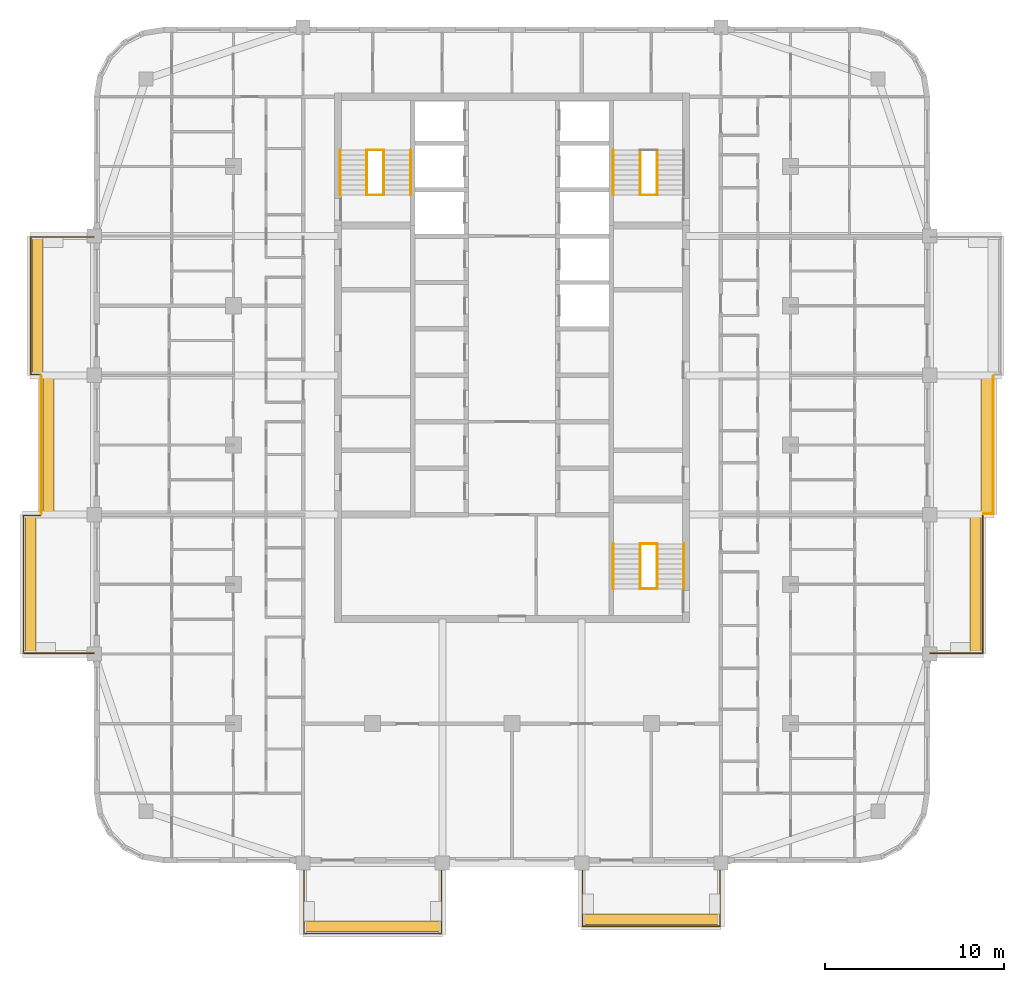
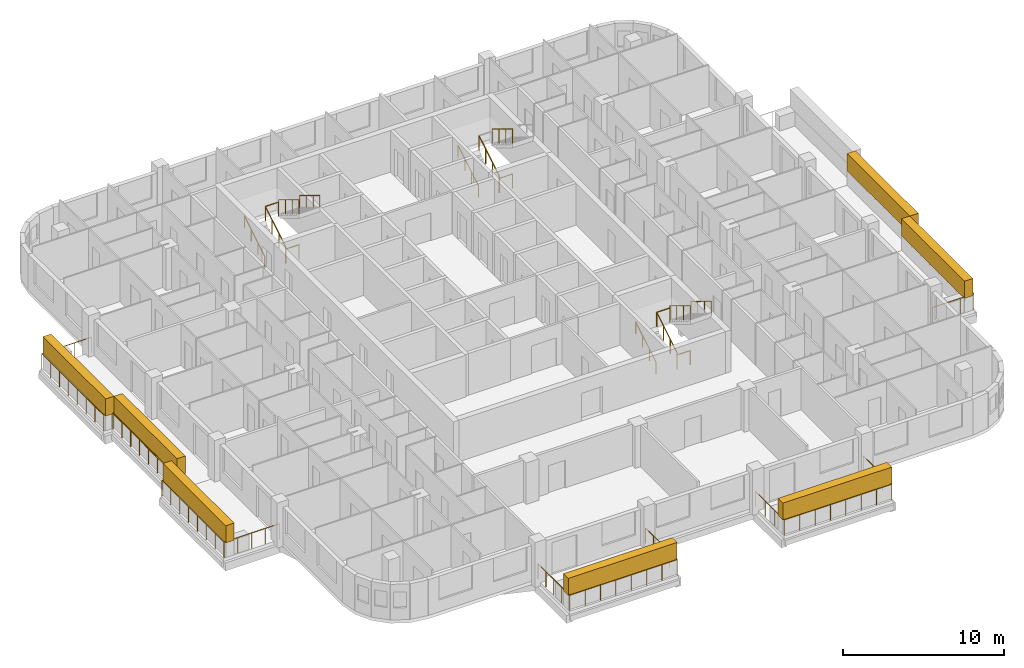
# One storey, part 15 of 16: 23 railings, 7 coverings, 3 elements without a shape of their own.
"""IFC4 building model written with IfcOpenShell, lengths in metres."""

from ifc_helpers import new_model, si_unit, direction, frame, origin, origin_2d, place, context, subcontext, project, spatial, rectangle, circle, extrude, material, layer, layer_set, type_object, element, aggregate, save


model = new_model("IFC4")

# Units and contexts
model_context = context("Model", 3, precision=1e-05, world=origin(), true_north=direction((0.0, 1.0)))
body_context = subcontext(model_context, "Body", "Model", "MODEL_VIEW")
ifc_project = project(units=[si_unit("LENGTHUNIT", "METRE"), si_unit("AREAUNIT", "SQUARE_METRE"), si_unit("VOLUMEUNIT", "CUBIC_METRE"), si_unit("PLANEANGLEUNIT", "RADIAN"), si_unit("MASSUNIT", "GRAM", prefix="KILO")], contexts=[model_context])

# Site, building, storey
site_placement = place(None, origin())
site = spatial("IfcSite", under=ifc_project, at=site_placement, CompositionType="ELEMENT")
building_placement = place(site_placement, origin())
building = spatial("IfcBuilding", under=site, at=building_placement, Name="Ludao Terraces", CompositionType="ELEMENT")
storey_placement = place(building_placement, frame((0.0, 0.0, 227.89990234375)))
storey = spatial("IfcBuildingStorey", under=building, at=storey_placement, Name="L62", CompositionType="ELEMENT", Elevation=227.89990234375)

# Railings
ifc_material_1 = material(Name="Stainless steel 304", Category="steel")
railing_type_1 = type_object("IfcRailingType", Name="ENV Balcony glass guard 1200", PredefinedType="GUARDRAIL", material=ifc_material_1)
railing_1_placement = place(storey_placement, frame((73.35009765625, 41.60009765625, 0.0)))
element("IfcRailing", 1, at=railing_1_placement, inside=storey, type_object=railing_type_1, Name="Balcony guard L62 S1", PredefinedType="GUARDRAIL", context=body_context, shape_type="SweptSolid", body=[
    extrude(circle(Radius=0.02392578125, at=origin_2d()), frame((0.0, 0.0, 1.17578125), z_axis=(0.0, -1.0, 0.0), x_axis=(1.0, 0.0, 0.0)), (0.0, 0.0, 1.0), 3.9501953125),
    extrude(circle(Radius=0.02392578125, at=origin_2d()), frame((0.0, -3.9501953125, 1.17578125), z_axis=(1.0, 0.0, 0.0), x_axis=(0.0, 1.0, 0.0)), (0.0, 0.0, 1.0), 7.699951171875),
    extrude(circle(Radius=0.02392578125, at=origin_2d()), frame((7.699951171875, -3.9501953125, 1.17578125), z_axis=(0.0, 1.0, 0.0), x_axis=(-1.0, 0.0, 0.0)), (0.0, 0.0, 1.0), 3.9501953125),
    extrude(circle(Radius=0.02099609375, at=origin_2d()), origin(), (0.0, 0.0, 1.0), 1.15185546875),
    extrude(circle(Radius=0.02099609375, at=origin_2d()), frame((0.0, -0.987548828125, 0.0)), (0.0, 0.0, 1.0), 1.15185546875),
    extrude(circle(Radius=0.02099609375, at=origin_2d()), frame((0.0, -1.97509765625, 0.0)), (0.0, 0.0, 1.0), 1.15185546875),
    extrude(circle(Radius=0.02099609375, at=origin_2d()), frame((0.0, -2.962646484375, 0.0)), (0.0, 0.0, 1.0), 1.15185546875),
    extrude(circle(Radius=0.02099609375, at=origin_2d()), frame((0.0, -3.9501953125, 0.0)), (0.0, 0.0, 1.0), 1.15185546875),
    extrude(circle(Radius=0.02099609375, at=origin_2d()), frame((1.10009765625, -3.9501953125, 0.0)), (0.0, 0.0, 1.0), 1.15185546875),
    extrude(circle(Radius=0.02099609375, at=origin_2d()), frame((2.199951171875, -3.9501953125, 0.0)), (0.0, 0.0, 1.0), 1.15185546875),
    extrude(circle(Radius=0.02099609375, at=origin_2d()), frame((3.300048828125, -3.9501953125, 0.0)), (0.0, 0.0, 1.0), 1.15185546875),
    extrude(circle(Radius=0.02099609375, at=origin_2d()), frame((4.39990234375, -3.9501953125, 0.0)), (0.0, 0.0, 1.0), 1.15185546875),
    extrude(circle(Radius=0.02099609375, at=origin_2d()), frame((5.5, -3.9501953125, 0.0)), (0.0, 0.0, 1.0), 1.15185546875),
    extrude(circle(Radius=0.02099609375, at=origin_2d()), frame((6.599853515625, -3.9501953125, 0.0)), (0.0, 0.0, 1.0), 1.15185546875),
    extrude(circle(Radius=0.02099609375, at=origin_2d()), frame((7.699951171875, -3.9501953125, 0.0)), (0.0, 0.0, 1.0), 1.15185546875),
    extrude(circle(Radius=0.02099609375, at=origin_2d()), frame((7.699951171875, -2.962646484375, 0.0)), (0.0, 0.0, 1.0), 1.15185546875),
    extrude(circle(Radius=0.02099609375, at=origin_2d()), frame((7.699951171875, -1.97509765625, 0.0)), (0.0, 0.0, 1.0), 1.15185546875),
    extrude(circle(Radius=0.02099609375, at=origin_2d()), frame((7.699951171875, -0.987548828125, 0.0)), (0.0, 0.0, 1.0), 1.15185546875),
    extrude(circle(Radius=0.02099609375, at=origin_2d()), frame((7.699951171875, 0.0, 0.0)), (0.0, 0.0, 1.0), 1.15185546875),
])
railing_2_placement = place(storey_placement, frame((88.949951171875, 41.60009765625, 0.0)))
element("IfcRailing", 2, at=railing_2_placement, inside=storey, type_object=railing_type_1, Name="Balcony guard L62 S3", PredefinedType="GUARDRAIL", context=body_context, shape_type="SweptSolid", body=[
    extrude(circle(Radius=0.02392578125, at=origin_2d()), frame((0.0, 0.0, 1.17578125), z_axis=(0.0, -1.0, 0.0), x_axis=(1.0, 0.0, 0.0)), (0.0, 0.0, 1.0), 3.550048828125),
    extrude(circle(Radius=0.02392578125, at=origin_2d()), frame((0.0, -3.550048828125, 1.17578125), z_axis=(1.0, 0.0, 0.0), x_axis=(0.0, 1.0, 0.0)), (0.0, 0.0, 1.0), 7.699951171875),
    extrude(circle(Radius=0.02392578125, at=origin_2d()), frame((7.699951171875, -3.550048828125, 1.17578125), z_axis=(0.0, 1.0, 0.0), x_axis=(-1.0, 0.0, 0.0)), (0.0, 0.0, 1.0), 3.550048828125),
    extrude(circle(Radius=0.02099609375, at=origin_2d()), origin(), (0.0, 0.0, 1.0), 1.15185546875),
    extrude(circle(Radius=0.02099609375, at=origin_2d()), frame((0.0, -1.183349609375, 0.0)), (0.0, 0.0, 1.0), 1.15185546875),
    extrude(circle(Radius=0.02099609375, at=origin_2d()), frame((0.0, -2.36669921875, 0.0)), (0.0, 0.0, 1.0), 1.15185546875),
    extrude(circle(Radius=0.02099609375, at=origin_2d()), frame((0.0, -3.550048828125, 0.0)), (0.0, 0.0, 1.0), 1.15185546875),
    extrude(circle(Radius=0.02099609375, at=origin_2d()), frame((1.10009765625, -3.550048828125, 0.0)), (0.0, 0.0, 1.0), 1.15185546875),
    extrude(circle(Radius=0.02099609375, at=origin_2d()), frame((2.199951171875, -3.550048828125, 0.0)), (0.0, 0.0, 1.0), 1.15185546875),
    extrude(circle(Radius=0.02099609375, at=origin_2d()), frame((3.300048828125, -3.550048828125, 0.0)), (0.0, 0.0, 1.0), 1.15185546875),
    extrude(circle(Radius=0.02099609375, at=origin_2d()), frame((4.39990234375, -3.550048828125, 0.0)), (0.0, 0.0, 1.0), 1.15185546875),
    extrude(circle(Radius=0.02099609375, at=origin_2d()), frame((5.5, -3.550048828125, 0.0)), (0.0, 0.0, 1.0), 1.15185546875),
    extrude(circle(Radius=0.02099609375, at=origin_2d()), frame((6.599853515625, -3.550048828125, 0.0)), (0.0, 0.0, 1.0), 1.15185546875),
    extrude(circle(Radius=0.02099609375, at=origin_2d()), frame((7.699951171875, -3.550048828125, 0.0)), (0.0, 0.0, 1.0), 1.15185546875),
    extrude(circle(Radius=0.02099609375, at=origin_2d()), frame((7.699951171875, -2.36669921875, 0.0)), (0.0, 0.0, 1.0), 1.15185546875),
    extrude(circle(Radius=0.02099609375, at=origin_2d()), frame((7.699951171875, -1.183349609375, 0.0)), (0.0, 0.0, 1.0), 1.15185546875),
    extrude(circle(Radius=0.02099609375, at=origin_2d()), frame((7.699951171875, 0.0, 0.0)), (0.0, 0.0, 1.0), 1.15185546875),
])
railing_3_placement = place(storey_placement, frame((108.39990234375, 53.35009765625, 0.0)))
element("IfcRailing", 3, at=railing_3_placement, inside=storey, type_object=railing_type_1, Name="Balcony guard L62 E1", PredefinedType="GUARDRAIL", context=body_context, shape_type="SweptSolid", body=[
    extrude(circle(Radius=0.02392578125, at=origin_2d()), frame((0.0, 0.0, 1.17578125), z_axis=(1.0, 0.0, 0.0), x_axis=(0.0, 1.0, 0.0)), (0.0, 0.0, 1.0), 2.9501953125),
    extrude(circle(Radius=0.02392578125, at=origin_2d()), frame((2.9501953125, 0.0, 1.17578125), z_axis=(0.0, 1.0, 0.0), x_axis=(-1.0, 0.0, 0.0)), (0.0, 0.0, 1.0), 7.699951171875),
    extrude(circle(Radius=0.02099609375, at=origin_2d()), origin(), (0.0, 0.0, 1.0), 1.15185546875),
    extrude(circle(Radius=0.02099609375, at=origin_2d()), frame((0.9833984375, 0.0, 0.0)), (0.0, 0.0, 1.0), 1.15185546875),
    extrude(circle(Radius=0.02099609375, at=origin_2d()), frame((1.966796875, 0.0, 0.0)), (0.0, 0.0, 1.0), 1.15185546875),
    extrude(circle(Radius=0.02099609375, at=origin_2d()), frame((2.9501953125, 0.0, 0.0)), (0.0, 0.0, 1.0), 1.15185546875),
    extrude(circle(Radius=0.02099609375, at=origin_2d()), frame((2.9501953125, 1.10009765625, 0.0)), (0.0, 0.0, 1.0), 1.15185546875),
    extrude(circle(Radius=0.02099609375, at=origin_2d()), frame((2.9501953125, 2.199951171875, 0.0)), (0.0, 0.0, 1.0), 1.15185546875),
    extrude(circle(Radius=0.02099609375, at=origin_2d()), frame((2.9501953125, 3.300048828125, 0.0)), (0.0, 0.0, 1.0), 1.15185546875),
    extrude(circle(Radius=0.02099609375, at=origin_2d()), frame((2.9501953125, 4.39990234375, 0.0)), (0.0, 0.0, 1.0), 1.15185546875),
    extrude(circle(Radius=0.02099609375, at=origin_2d()), frame((2.9501953125, 5.5, 0.0)), (0.0, 0.0, 1.0), 1.15185546875),
    extrude(circle(Radius=0.02099609375, at=origin_2d()), frame((2.9501953125, 6.599853515625, 0.0)), (0.0, 0.0, 1.0), 1.15185546875),
    extrude(circle(Radius=0.02099609375, at=origin_2d()), frame((2.9501953125, 7.699951171875, 0.0)), (0.0, 0.0, 1.0), 1.15185546875),
])
railing_4_placement = place(storey_placement, frame((111.39990234375, 61.14990234375, 0.0)))
element("IfcRailing", 4, at=railing_4_placement, inside=storey, type_object=railing_type_1, Name="Balcony guard L62 E2", PredefinedType="GUARDRAIL", context=body_context, shape_type="SweptSolid", body=[
    extrude(circle(Radius=0.02392578125, at=origin_2d()), frame((0.0, 0.0, 1.17578125), z_axis=(1.0, 0.0, 0.0), x_axis=(0.0, 1.0, 0.0)), (0.0, 0.0, 1.0), 0.550048828125),
    extrude(circle(Radius=0.02392578125, at=origin_2d()), frame((0.550048828125, 0.0, 1.17578125), z_axis=(0.0, 1.0, 0.0), x_axis=(-1.0, 0.0, 0.0)), (0.0, 0.0, 1.0), 7.7001953125),
    extrude(circle(Radius=0.02099609375, at=origin_2d()), origin(), (0.0, 0.0, 1.0), 1.15185546875),
    extrude(circle(Radius=0.02099609375, at=origin_2d()), frame((0.550048828125, 0.0, 0.0)), (0.0, 0.0, 1.0), 1.15185546875),
    extrude(circle(Radius=0.02099609375, at=origin_2d()), frame((0.550048828125, 1.10009765625, 0.0)), (0.0, 0.0, 1.0), 1.15185546875),
    extrude(circle(Radius=0.02099609375, at=origin_2d()), frame((0.550048828125, 2.199951171875, 0.0)), (0.0, 0.0, 1.0), 1.15185546875),
    extrude(circle(Radius=0.02099609375, at=origin_2d()), frame((0.550048828125, 3.300048828125, 0.0)), (0.0, 0.0, 1.0), 1.15185546875),
    extrude(circle(Radius=0.02099609375, at=origin_2d()), frame((0.550048828125, 4.400146484375, 0.0)), (0.0, 0.0, 1.0), 1.15185546875),
    extrude(circle(Radius=0.02099609375, at=origin_2d()), frame((0.550048828125, 5.500244140625, 0.0)), (0.0, 0.0, 1.0), 1.15185546875),
    extrude(circle(Radius=0.02099609375, at=origin_2d()), frame((0.550048828125, 6.60009765625, 0.0)), (0.0, 0.0, 1.0), 1.15185546875),
    extrude(circle(Radius=0.02099609375, at=origin_2d()), frame((0.550048828125, 7.7001953125, 0.0)), (0.0, 0.0, 1.0), 1.15185546875),
])
railing_5_placement = place(storey_placement, frame((61.60009765625, 53.35009765625, 0.0)))
element("IfcRailing", 5, at=railing_5_placement, inside=storey, type_object=railing_type_1, Name="Balcony guard L62 W1", PredefinedType="GUARDRAIL", context=body_context, shape_type="SweptSolid", body=[
    extrude(circle(Radius=0.02392578125, at=origin_2d()), frame((0.0, 0.0, 1.17578125), z_axis=(-1.0, 0.0, 0.0), x_axis=(0.0, -1.0, 0.0)), (0.0, 0.0, 1.0), 3.9501953125),
    extrude(circle(Radius=0.02392578125, at=origin_2d()), frame((-3.9501953125, 0.0, 1.17578125), z_axis=(0.0, 1.0, 0.0), x_axis=(-1.0, 0.0, 0.0)), (0.0, 0.0, 1.0), 7.699951171875),
    extrude(circle(Radius=0.02392578125, at=origin_2d()), frame((-3.9501953125, 7.699951171875, 1.17578125), z_axis=(1.0, 0.0, 0.0), x_axis=(0.0, 1.0, 0.0)), (0.0, 0.0, 1.0), 0.9501953125),
    extrude(circle(Radius=0.02099609375, at=origin_2d()), origin(), (0.0, 0.0, 1.0), 1.15185546875),
    extrude(circle(Radius=0.02099609375, at=origin_2d()), frame((-0.987548828125, 0.0, 0.0)), (0.0, 0.0, 1.0), 1.15185546875),
    extrude(circle(Radius=0.02099609375, at=origin_2d()), frame((-1.97509765625, 0.0, 0.0)), (0.0, 0.0, 1.0), 1.15185546875),
    extrude(circle(Radius=0.02099609375, at=origin_2d()), frame((-2.962646484375, 0.0, 0.0)), (0.0, 0.0, 1.0), 1.15185546875),
    extrude(circle(Radius=0.02099609375, at=origin_2d()), frame((-3.9501953125, 0.0, 0.0)), (0.0, 0.0, 1.0), 1.15185546875),
    extrude(circle(Radius=0.02099609375, at=origin_2d()), frame((-3.9501953125, 1.10009765625, 0.0)), (0.0, 0.0, 1.0), 1.15185546875),
    extrude(circle(Radius=0.02099609375, at=origin_2d()), frame((-3.9501953125, 2.199951171875, 0.0)), (0.0, 0.0, 1.0), 1.15185546875),
    extrude(circle(Radius=0.02099609375, at=origin_2d()), frame((-3.9501953125, 3.300048828125, 0.0)), (0.0, 0.0, 1.0), 1.15185546875),
    extrude(circle(Radius=0.02099609375, at=origin_2d()), frame((-3.9501953125, 4.39990234375, 0.0)), (0.0, 0.0, 1.0), 1.15185546875),
    extrude(circle(Radius=0.02099609375, at=origin_2d()), frame((-3.9501953125, 5.5, 0.0)), (0.0, 0.0, 1.0), 1.15185546875),
    extrude(circle(Radius=0.02099609375, at=origin_2d()), frame((-3.9501953125, 6.599853515625, 0.0)), (0.0, 0.0, 1.0), 1.15185546875),
    extrude(circle(Radius=0.02099609375, at=origin_2d()), frame((-3.9501953125, 7.699951171875, 0.0)), (0.0, 0.0, 1.0), 1.15185546875),
    extrude(circle(Radius=0.02099609375, at=origin_2d()), frame((-3.0, 7.699951171875, 0.0)), (0.0, 0.0, 1.0), 1.15185546875),
])
railing_6_placement = place(storey_placement, frame((58.64990234375, 61.14990234375, 0.0)))
element("IfcRailing", 6, at=railing_6_placement, inside=storey, type_object=railing_type_1, Name="Balcony guard L62 W2", PredefinedType="GUARDRAIL", context=body_context, shape_type="SweptSolid", body=[
    extrude(circle(Radius=0.02392578125, at=origin_2d()), frame((0.0, 0.0, 1.17578125), z_axis=(0.0, 1.0, 0.0), x_axis=(-1.0, 0.0, 0.0)), (0.0, 0.0, 1.0), 7.7001953125),
    extrude(circle(Radius=0.02099609375, at=origin_2d()), origin(), (0.0, 0.0, 1.0), 1.15185546875),
    extrude(circle(Radius=0.02099609375, at=origin_2d()), frame((0.0, 1.10009765625, 0.0)), (0.0, 0.0, 1.0), 1.15185546875),
    extrude(circle(Radius=0.02099609375, at=origin_2d()), frame((0.0, 2.199951171875, 0.0)), (0.0, 0.0, 1.0), 1.15185546875),
    extrude(circle(Radius=0.02099609375, at=origin_2d()), frame((0.0, 3.300048828125, 0.0)), (0.0, 0.0, 1.0), 1.15185546875),
    extrude(circle(Radius=0.02099609375, at=origin_2d()), frame((0.0, 4.400146484375, 0.0)), (0.0, 0.0, 1.0), 1.15185546875),
    extrude(circle(Radius=0.02099609375, at=origin_2d()), frame((0.0, 5.500244140625, 0.0)), (0.0, 0.0, 1.0), 1.15185546875),
    extrude(circle(Radius=0.02099609375, at=origin_2d()), frame((0.0, 6.60009765625, 0.0)), (0.0, 0.0, 1.0), 1.15185546875),
    extrude(circle(Radius=0.02099609375, at=origin_2d()), frame((0.0, 7.7001953125, 0.0)), (0.0, 0.0, 1.0), 1.15185546875),
])
railing_7_placement = place(storey_placement, frame((58.60009765625, 68.949951171875, 0.0)))
element("IfcRailing", 7, at=railing_7_placement, inside=storey, type_object=railing_type_1, Name="Balcony guard L62 W3", PredefinedType="GUARDRAIL", context=body_context, shape_type="SweptSolid", body=[
    extrude(circle(Radius=0.02392578125, at=origin_2d()), frame((0.0, 0.0, 1.17578125), z_axis=(-1.0, 0.0, 0.0), x_axis=(0.0, -1.0, 0.0)), (0.0, 0.0, 1.0), 0.550048828125),
    extrude(circle(Radius=0.02392578125, at=origin_2d()), frame((-0.550048828125, 0.0, 1.17578125), z_axis=(0.0, 1.0, 0.0), x_axis=(-1.0, 0.0, 0.0)), (0.0, 0.0, 1.0), 7.699951171875),
    extrude(circle(Radius=0.02392578125, at=origin_2d()), frame((-0.550048828125, 7.699951171875, 1.17578125), z_axis=(1.0, 0.0, 0.0), x_axis=(0.0, 1.0, 0.0)), (0.0, 0.0, 1.0), 3.550048828125),
    extrude(circle(Radius=0.02099609375, at=origin_2d()), origin(), (0.0, 0.0, 1.0), 1.15185546875),
    extrude(circle(Radius=0.02099609375, at=origin_2d()), frame((-0.550048828125, 0.0, 0.0)), (0.0, 0.0, 1.0), 1.15185546875),
    extrude(circle(Radius=0.02099609375, at=origin_2d()), frame((-0.550048828125, 1.10009765625, 0.0)), (0.0, 0.0, 1.0), 1.15185546875),
    extrude(circle(Radius=0.02099609375, at=origin_2d()), frame((-0.550048828125, 2.199951171875, 0.0)), (0.0, 0.0, 1.0), 1.15185546875),
    extrude(circle(Radius=0.02099609375, at=origin_2d()), frame((-0.550048828125, 3.300048828125, 0.0)), (0.0, 0.0, 1.0), 1.15185546875),
    extrude(circle(Radius=0.02099609375, at=origin_2d()), frame((-0.550048828125, 4.39990234375, 0.0)), (0.0, 0.0, 1.0), 1.15185546875),
    extrude(circle(Radius=0.02099609375, at=origin_2d()), frame((-0.550048828125, 5.5, 0.0)), (0.0, 0.0, 1.0), 1.15185546875),
    extrude(circle(Radius=0.02099609375, at=origin_2d()), frame((-0.550048828125, 6.599853515625, 0.0)), (0.0, 0.0, 1.0), 1.15185546875),
    extrude(circle(Radius=0.02099609375, at=origin_2d()), frame((-0.550048828125, 7.699951171875, 0.0)), (0.0, 0.0, 1.0), 1.15185546875),
    extrude(circle(Radius=0.02099609375, at=origin_2d()), frame((0.63330078125, 7.699951171875, 0.0)), (0.0, 0.0, 1.0), 1.15185546875),
    extrude(circle(Radius=0.02099609375, at=origin_2d()), frame((1.816650390625, 7.699951171875, 0.0)), (0.0, 0.0, 1.0), 1.15185546875),
    extrude(circle(Radius=0.02099609375, at=origin_2d()), frame((3.0, 7.699951171875, 0.0)), (0.0, 0.0, 1.0), 1.15185546875),
])

# Coverings
ifc_material_2 = material(Name="Planting")
ifc_layer = layer(ifc_material_2, 0.60009765625)
ifc_layer_set = layer_set([ifc_layer], Name="ENV Planting hedge 600x1300")
covering_type = type_object("IfcCoveringType", Name="ENV Planting hedge 600x1300", PredefinedType="USERDEFINED", material=ifc_layer_set)
for number, where, z_axis, x_axis, name in (
    (8, (77.199951171875, 38.050048828125, 1.10009765625), (0.0, 0.0, 1.0), (1.0, 0.0, 0.0), "Planting hedge L62-S1"),
    (9, (92.800048828125, 38.449951171875, 1.10009765625), (0.0, 0.0, 1.0), (1.0, 0.0, 0.0), "Planting hedge L62-S3"),
):
    element("IfcCovering", number, at=place(storey_placement, frame(where, z_axis=z_axis, x_axis=x_axis)), inside=storey, type_object=covering_type, Name=name, ObjectType="PLANTING", PredefinedType="USERDEFINED", context=body_context, shape_type="SweptSolid", body=[
        extrude(rectangle(XDim=7.800048828125, YDim=0.60009765625, at=origin_2d()), origin(), (0.0, 0.0, 1.0), 1.300048828125),
    ])
for number, where, z_axis, x_axis, name in (
    (10, (110.949951171875, 57.199951171875, 1.10009765625), (0.0, 0.0, 1.0), (1.0, 0.0, 0.0), "Planting hedge L62-E1"),
    (11, (111.550048828125, 65.0, 1.10009765625), (0.0, 0.0, 1.0), (1.0, 0.0, 0.0), "Planting hedge L62-E2"),
    (12, (58.050048828125, 57.199951171875, 1.10009765625), (0.0, 0.0, 1.0), (1.0, 0.0, 0.0), "Planting hedge L62-W1"),
    (13, (59.050048828125, 65.0, 1.10009765625), (0.0, 0.0, 1.0), (1.0, 0.0, 0.0), "Planting hedge L62-W2"),
    (14, (58.449951171875, 72.800048828125, 1.10009765625), (0.0, 0.0, 1.0), (1.0, 0.0, 0.0), "Planting hedge L62-W3"),
):
    element("IfcCovering", number, at=place(storey_placement, frame(where, z_axis=z_axis, x_axis=x_axis)), inside=storey, type_object=covering_type, Name=name, ObjectType="PLANTING", PredefinedType="USERDEFINED", context=body_context, shape_type="SweptSolid", body=[
        extrude(rectangle(XDim=0.60009765625, YDim=7.800048828125, at=origin_2d()), origin(), (0.0, 0.0, 1.0), 1.300048828125),
    ])

# Stair, railings
ifc_material_3 = material(Name="Concrete C40", Category="concrete")
stair_type = type_object("IfcStairType", Name="INT Stair", PredefinedType="HALF_TURN_STAIR", material=ifc_material_3)
stair_1_placement = place(storey_placement, origin())
stair_1 = element("IfcStair", 15, at=stair_1_placement, inside=storey, type_object=stair_type, Name="EXIT STAIR 1", PredefinedType="HALF_TURN_STAIR")
railing_type_2 = type_object("IfcRailingType", Name="INT Stair guard 1100", PredefinedType="GUARDRAIL", material=ifc_material_1)
railing_8_placement = place(storey_placement, frame((76.875, 79.0, 0.170166015625)))
railing_8 = element("IfcRailing", 16, at=railing_8_placement, type_object=railing_type_2, Name="ST-L62-S1-R1G", PredefinedType="GUARDRAIL", context=body_context, shape_type="SweptSolid", body=[
    extrude(circle(Radius=0.02392578125, at=origin_2d()), frame((0.0, 0.0, 1.076171875), z_axis=(0.0, 0.85478489116, 0.518982456201), x_axis=(-1.0, 0.0, 0.0)), (0.0, 0.0, 1.0), 2.9482421875),
    extrude(circle(Radius=0.02099609375, at=origin_2d()), origin(), (0.0, 0.0, 1.0), 1.052001953125),
    extrude(circle(Radius=0.02099609375, at=origin_2d()), frame((0.0, 0.840087890625, 0.510009765625)), (0.0, 0.0, 1.0), 1.052001953125),
    extrude(circle(Radius=0.02099609375, at=origin_2d()), frame((0.0, 1.679931640625, 1.02001953125)), (0.0, 0.0, 1.0), 1.052001953125),
    extrude(circle(Radius=0.02099609375, at=origin_2d()), frame((0.0, 2.52001953125, 1.530029296875)), (0.0, 0.0, 1.0), 1.052001953125),
])
railing_9_placement = place(storey_placement, frame((77.824951171875, 81.52001953125, 1.8701171875)))
railing_9 = element("IfcRailing", 17, at=railing_9_placement, type_object=railing_type_2, Name="ST-L62-S1-R2G", PredefinedType="GUARDRAIL", context=body_context, shape_type="SweptSolid", body=[
    extrude(circle(Radius=0.02392578125, at=origin_2d()), frame((0.0, 0.0, 1.076171875), z_axis=(0.0, -0.85478489116, 0.518982456201), x_axis=(1.0, 0.0, 0.0)), (0.0, 0.0, 1.0), 2.9482421875),
    extrude(circle(Radius=0.02099609375, at=origin_2d()), origin(), (0.0, 0.0, 1.0), 1.052001953125),
    extrude(circle(Radius=0.02099609375, at=origin_2d()), frame((0.0, -0.840087890625, 0.510009765625)), (0.0, 0.0, 1.0), 1.052001953125),
    extrude(circle(Radius=0.02099609375, at=origin_2d()), frame((0.0, -1.679931640625, 1.02001953125)), (0.0, 0.0, 1.0), 1.052001953125),
    extrude(circle(Radius=0.02099609375, at=origin_2d()), frame((0.0, -2.52001953125, 1.530029296875)), (0.0, 0.0, 1.0), 1.052001953125),
])
railing_10_placement = place(storey_placement, frame((76.875, 81.52001953125, 1.7001953125)))
railing_10 = element("IfcRailing", 18, at=railing_10_placement, type_object=railing_type_2, Name="ST-L62-S1-E1G", PredefinedType="GUARDRAIL", context=body_context, shape_type="SweptSolid", body=[
    extrude(circle(Radius=0.02392578125, at=origin_2d()), frame((0.0, 0.0, 1.076171875), z_axis=(1.0, 0.0, 0.0), x_axis=(0.0, 1.0, 0.0)), (0.0, 0.0, 1.0), 0.949951171875),
    extrude(circle(Radius=0.02099609375, at=origin_2d()), origin(), (0.0, 0.0, 1.0), 1.052001953125),
    extrude(circle(Radius=0.02099609375, at=origin_2d()), frame((0.949951171875, 0.0, 0.0)), (0.0, 0.0, 1.0), 1.052001953125),
])
railing_11_placement = place(storey_placement, frame((76.875, 79.0, 0.0)))
railing_11 = element("IfcRailing", 19, at=railing_11_placement, type_object=railing_type_2, Name="ST-L62-S1-E2G", PredefinedType="GUARDRAIL", context=body_context, shape_type="SweptSolid", body=[
    extrude(circle(Radius=0.02392578125, at=origin_2d()), frame((0.0, 0.0, 1.076171875), z_axis=(1.0, 0.0, 0.0), x_axis=(0.0, 1.0, 0.0)), (0.0, 0.0, 1.0), 0.949951171875),
    extrude(circle(Radius=0.02099609375, at=origin_2d()), origin(), (0.0, 0.0, 1.0), 1.052001953125),
    extrude(circle(Radius=0.02099609375, at=origin_2d()), frame((0.949951171875, 0.0, 0.0)), (0.0, 0.0, 1.0), 1.052001953125),
])

stair_2_placement = place(storey_placement, origin())
stair_2 = element("IfcStair", 20, at=stair_2_placement, inside=storey, type_object=stair_type, Name="EXIT STAIR 2", PredefinedType="HALF_TURN_STAIR")
railing_12_placement = place(storey_placement, frame((92.175048828125, 79.0, 0.170166015625)))
railing_12 = element("IfcRailing", 21, at=railing_12_placement, type_object=railing_type_2, Name="ST-L62-S2-R1G", PredefinedType="GUARDRAIL", context=body_context, shape_type="SweptSolid", body=[
    extrude(circle(Radius=0.02392578125, at=origin_2d()), frame((0.0, 0.0, 1.076171875), z_axis=(0.0, 0.85478489116, 0.518982456201), x_axis=(-1.0, 0.0, 0.0)), (0.0, 0.0, 1.0), 2.9482421875),
    extrude(circle(Radius=0.02099609375, at=origin_2d()), origin(), (0.0, 0.0, 1.0), 1.052001953125),
    extrude(circle(Radius=0.02099609375, at=origin_2d()), frame((0.0, 0.840087890625, 0.510009765625)), (0.0, 0.0, 1.0), 1.052001953125),
    extrude(circle(Radius=0.02099609375, at=origin_2d()), frame((0.0, 1.679931640625, 1.02001953125)), (0.0, 0.0, 1.0), 1.052001953125),
    extrude(circle(Radius=0.02099609375, at=origin_2d()), frame((0.0, 2.52001953125, 1.530029296875)), (0.0, 0.0, 1.0), 1.052001953125),
])
railing_13_placement = place(storey_placement, frame((93.125, 81.52001953125, 1.8701171875)))
railing_13 = element("IfcRailing", 22, at=railing_13_placement, type_object=railing_type_2, Name="ST-L62-S2-R2G", PredefinedType="GUARDRAIL", context=body_context, shape_type="SweptSolid", body=[
    extrude(circle(Radius=0.02392578125, at=origin_2d()), frame((0.0, 0.0, 1.076171875), z_axis=(0.0, -0.85478489116, 0.518982456201), x_axis=(1.0, 0.0, 0.0)), (0.0, 0.0, 1.0), 2.9482421875),
    extrude(circle(Radius=0.02099609375, at=origin_2d()), origin(), (0.0, 0.0, 1.0), 1.052001953125),
    extrude(circle(Radius=0.02099609375, at=origin_2d()), frame((0.0, -0.840087890625, 0.510009765625)), (0.0, 0.0, 1.0), 1.052001953125),
    extrude(circle(Radius=0.02099609375, at=origin_2d()), frame((0.0, -1.679931640625, 1.02001953125)), (0.0, 0.0, 1.0), 1.052001953125),
    extrude(circle(Radius=0.02099609375, at=origin_2d()), frame((0.0, -2.52001953125, 1.530029296875)), (0.0, 0.0, 1.0), 1.052001953125),
])
railing_14_placement = place(storey_placement, frame((92.175048828125, 79.0, 0.0)))
railing_14 = element("IfcRailing", 23, at=railing_14_placement, type_object=railing_type_2, Name="ST-L62-S2-E2G", PredefinedType="GUARDRAIL", context=body_context, shape_type="SweptSolid", body=[
    extrude(circle(Radius=0.02392578125, at=origin_2d()), frame((0.0, 0.0, 1.076171875), z_axis=(1.0, 0.0, 0.0), x_axis=(0.0, 1.0, 0.0)), (0.0, 0.0, 1.0), 0.949951171875),
    extrude(circle(Radius=0.02099609375, at=origin_2d()), origin(), (0.0, 0.0, 1.0), 1.052001953125),
    extrude(circle(Radius=0.02099609375, at=origin_2d()), frame((0.949951171875, 0.0, 0.0)), (0.0, 0.0, 1.0), 1.052001953125),
])

stair_3_placement = place(storey_placement, origin())
stair_3 = element("IfcStair", 24, at=stair_3_placement, inside=storey, type_object=stair_type, Name="EXIT STAIR 3", PredefinedType="HALF_TURN_STAIR")
railing_15_placement = place(storey_placement, frame((92.175048828125, 56.949951171875, 0.170166015625)))
railing_15 = element("IfcRailing", 25, at=railing_15_placement, type_object=railing_type_2, Name="ST-L62-S3-R1G", PredefinedType="GUARDRAIL", context=body_context, shape_type="SweptSolid", body=[
    extrude(circle(Radius=0.02392578125, at=origin_2d()), frame((0.0, 0.0, 1.076171875), z_axis=(0.0, 0.85478489116, 0.518982456201), x_axis=(-1.0, 0.0, 0.0)), (0.0, 0.0, 1.0), 2.9482421875),
    extrude(circle(Radius=0.02099609375, at=origin_2d()), origin(), (0.0, 0.0, 1.0), 1.052001953125),
    extrude(circle(Radius=0.02099609375, at=origin_2d()), frame((0.0, 0.840087890625, 0.510009765625)), (0.0, 0.0, 1.0), 1.052001953125),
    extrude(circle(Radius=0.02099609375, at=origin_2d()), frame((0.0, 1.679931640625, 1.02001953125)), (0.0, 0.0, 1.0), 1.052001953125),
    extrude(circle(Radius=0.02099609375, at=origin_2d()), frame((0.0, 2.52001953125, 1.530029296875)), (0.0, 0.0, 1.0), 1.052001953125),
])
railing_16_placement = place(storey_placement, frame((93.125, 59.469970703125, 1.8701171875)))
railing_16 = element("IfcRailing", 26, at=railing_16_placement, type_object=railing_type_2, Name="ST-L62-S3-R2G", PredefinedType="GUARDRAIL", context=body_context, shape_type="SweptSolid", body=[
    extrude(circle(Radius=0.02392578125, at=origin_2d()), frame((0.0, 0.0, 1.076171875), z_axis=(0.0, -0.85478489116, 0.518982456201), x_axis=(1.0, 0.0, 0.0)), (0.0, 0.0, 1.0), 2.9482421875),
    extrude(circle(Radius=0.02099609375, at=origin_2d()), origin(), (0.0, 0.0, 1.0), 1.052001953125),
    extrude(circle(Radius=0.02099609375, at=origin_2d()), frame((0.0, -0.840087890625, 0.510009765625)), (0.0, 0.0, 1.0), 1.052001953125),
    extrude(circle(Radius=0.02099609375, at=origin_2d()), frame((0.0, -1.679931640625, 1.02001953125)), (0.0, 0.0, 1.0), 1.052001953125),
    extrude(circle(Radius=0.02099609375, at=origin_2d()), frame((0.0, -2.52001953125, 1.530029296875)), (0.0, 0.0, 1.0), 1.052001953125),
])
railing_17_placement = place(storey_placement, frame((92.175048828125, 59.469970703125, 1.7001953125)))
railing_17 = element("IfcRailing", 27, at=railing_17_placement, type_object=railing_type_2, Name="ST-L62-S3-E1G", PredefinedType="GUARDRAIL", context=body_context, shape_type="SweptSolid", body=[
    extrude(circle(Radius=0.02392578125, at=origin_2d()), frame((0.0, 0.0, 1.076171875), z_axis=(1.0, 0.0, 0.0), x_axis=(0.0, 1.0, 0.0)), (0.0, 0.0, 1.0), 0.949951171875),
    extrude(circle(Radius=0.02099609375, at=origin_2d()), origin(), (0.0, 0.0, 1.0), 1.052001953125),
    extrude(circle(Radius=0.02099609375, at=origin_2d()), frame((0.949951171875, 0.0, 0.0)), (0.0, 0.0, 1.0), 1.052001953125),
])
railing_18_placement = place(storey_placement, frame((92.175048828125, 56.949951171875, 0.0)))
railing_18 = element("IfcRailing", 28, at=railing_18_placement, type_object=railing_type_2, Name="ST-L62-S3-E2G", PredefinedType="GUARDRAIL", context=body_context, shape_type="SweptSolid", body=[
    extrude(circle(Radius=0.02392578125, at=origin_2d()), frame((0.0, 0.0, 1.076171875), z_axis=(1.0, 0.0, 0.0), x_axis=(0.0, 1.0, 0.0)), (0.0, 0.0, 1.0), 0.949951171875),
    extrude(circle(Radius=0.02099609375, at=origin_2d()), origin(), (0.0, 0.0, 1.0), 1.052001953125),
    extrude(circle(Radius=0.02099609375, at=origin_2d()), frame((0.949951171875, 0.0, 0.0)), (0.0, 0.0, 1.0), 1.052001953125),
])

# Railing
railing_type_3 = type_object("IfcRailingType", Name="INT Stair handrail 900", PredefinedType="HANDRAIL", material=ifc_material_1)
railing_19_placement = place(storey_placement, frame((75.375, 79.0, 0.170166015625)))
railing_19 = element("IfcRailing", 29, at=railing_19_placement, type_object=railing_type_3, Name="ST-L62-S1-R1H", PredefinedType="HANDRAIL", context=body_context, shape_type="SweptSolid", body=[
    extrude(circle(Radius=0.02392578125, at=origin_2d()), frame((0.0, 0.0, 0.8759765625), z_axis=(0.0, 0.85478489116, 0.518982456201), x_axis=(-1.0, 0.0, 0.0)), (0.0, 0.0, 1.0), 2.9482421875),
    extrude(circle(Radius=0.02099609375, at=origin_2d()), origin(), (0.0, 0.0, 1.0), 0.851806640625),
    extrude(circle(Radius=0.02099609375, at=origin_2d()), frame((0.0, 0.840087890625, 0.510009765625)), (0.0, 0.0, 1.0), 0.851806640625),
    extrude(circle(Radius=0.02099609375, at=origin_2d()), frame((0.0, 1.679931640625, 1.02001953125)), (0.0, 0.0, 1.0), 0.851806640625),
    extrude(circle(Radius=0.02099609375, at=origin_2d()), frame((0.0, 2.52001953125, 1.530029296875)), (0.0, 0.0, 1.0), 0.851806640625),
])

railing_20_placement = place(storey_placement, frame((79.324951171875, 81.52001953125, 1.8701171875)))
railing_20 = element("IfcRailing", 30, at=railing_20_placement, type_object=railing_type_3, Name="ST-L62-S1-R2H", PredefinedType="HANDRAIL", context=body_context, shape_type="SweptSolid", body=[
    extrude(circle(Radius=0.02392578125, at=origin_2d()), frame((0.0, 0.0, 0.8759765625), z_axis=(0.0, -0.85478489116, 0.518982456201), x_axis=(1.0, 0.0, 0.0)), (0.0, 0.0, 1.0), 2.9482421875),
    extrude(circle(Radius=0.02099609375, at=origin_2d()), origin(), (0.0, 0.0, 1.0), 0.851806640625),
    extrude(circle(Radius=0.02099609375, at=origin_2d()), frame((0.0, -0.840087890625, 0.510009765625)), (0.0, 0.0, 1.0), 0.851806640625),
    extrude(circle(Radius=0.02099609375, at=origin_2d()), frame((0.0, -1.679931640625, 1.02001953125)), (0.0, 0.0, 1.0), 0.851806640625),
    extrude(circle(Radius=0.02099609375, at=origin_2d()), frame((0.0, -2.52001953125, 1.530029296875)), (0.0, 0.0, 1.0), 0.851806640625),
])

aggregate(stair_1, [railing_8, railing_19, railing_9, railing_20, railing_10, railing_11])

railing_21_placement = place(storey_placement, frame((90.675048828125, 79.0, 0.170166015625)))
railing_21 = element("IfcRailing", 31, at=railing_21_placement, type_object=railing_type_3, Name="ST-L62-S2-R1H", PredefinedType="HANDRAIL", context=body_context, shape_type="SweptSolid", body=[
    extrude(circle(Radius=0.02392578125, at=origin_2d()), frame((0.0, 0.0, 0.8759765625), z_axis=(0.0, 0.85478489116, 0.518982456201), x_axis=(-1.0, 0.0, 0.0)), (0.0, 0.0, 1.0), 2.9482421875),
    extrude(circle(Radius=0.02099609375, at=origin_2d()), origin(), (0.0, 0.0, 1.0), 0.851806640625),
    extrude(circle(Radius=0.02099609375, at=origin_2d()), frame((0.0, 0.840087890625, 0.510009765625)), (0.0, 0.0, 1.0), 0.851806640625),
    extrude(circle(Radius=0.02099609375, at=origin_2d()), frame((0.0, 1.679931640625, 1.02001953125)), (0.0, 0.0, 1.0), 0.851806640625),
    extrude(circle(Radius=0.02099609375, at=origin_2d()), frame((0.0, 2.52001953125, 1.530029296875)), (0.0, 0.0, 1.0), 0.851806640625),
])

aggregate(stair_2, [railing_12, railing_21, railing_13, railing_14])

railing_22_placement = place(storey_placement, frame((90.675048828125, 56.949951171875, 0.170166015625)))
railing_22 = element("IfcRailing", 32, at=railing_22_placement, type_object=railing_type_3, Name="ST-L62-S3-R1H", PredefinedType="HANDRAIL", context=body_context, shape_type="SweptSolid", body=[
    extrude(circle(Radius=0.02392578125, at=origin_2d()), frame((0.0, 0.0, 0.8759765625), z_axis=(0.0, 0.85478489116, 0.518982456201), x_axis=(-1.0, 0.0, 0.0)), (0.0, 0.0, 1.0), 2.9482421875),
    extrude(circle(Radius=0.02099609375, at=origin_2d()), origin(), (0.0, 0.0, 1.0), 0.851806640625),
    extrude(circle(Radius=0.02099609375, at=origin_2d()), frame((0.0, 0.840087890625, 0.510009765625)), (0.0, 0.0, 1.0), 0.851806640625),
    extrude(circle(Radius=0.02099609375, at=origin_2d()), frame((0.0, 1.679931640625, 1.02001953125)), (0.0, 0.0, 1.0), 0.851806640625),
    extrude(circle(Radius=0.02099609375, at=origin_2d()), frame((0.0, 2.52001953125, 1.530029296875)), (0.0, 0.0, 1.0), 0.851806640625),
])

railing_23_placement = place(storey_placement, frame((94.625, 59.469970703125, 1.8701171875)))
railing_23 = element("IfcRailing", 33, at=railing_23_placement, type_object=railing_type_3, Name="ST-L62-S3-R2H", PredefinedType="HANDRAIL", context=body_context, shape_type="SweptSolid", body=[
    extrude(circle(Radius=0.02392578125, at=origin_2d()), frame((0.0, 0.0, 0.8759765625), z_axis=(0.0, -0.85478489116, 0.518982456201), x_axis=(1.0, 0.0, 0.0)), (0.0, 0.0, 1.0), 2.9482421875),
    extrude(circle(Radius=0.02099609375, at=origin_2d()), origin(), (0.0, 0.0, 1.0), 0.851806640625),
    extrude(circle(Radius=0.02099609375, at=origin_2d()), frame((0.0, -0.840087890625, 0.510009765625)), (0.0, 0.0, 1.0), 0.851806640625),
    extrude(circle(Radius=0.02099609375, at=origin_2d()), frame((0.0, -1.679931640625, 1.02001953125)), (0.0, 0.0, 1.0), 0.851806640625),
    extrude(circle(Radius=0.02099609375, at=origin_2d()), frame((0.0, -2.52001953125, 1.530029296875)), (0.0, 0.0, 1.0), 0.851806640625),
])

aggregate(stair_3, [railing_15, railing_22, railing_16, railing_23, railing_17, railing_18])

save(model, "model.ifc")
